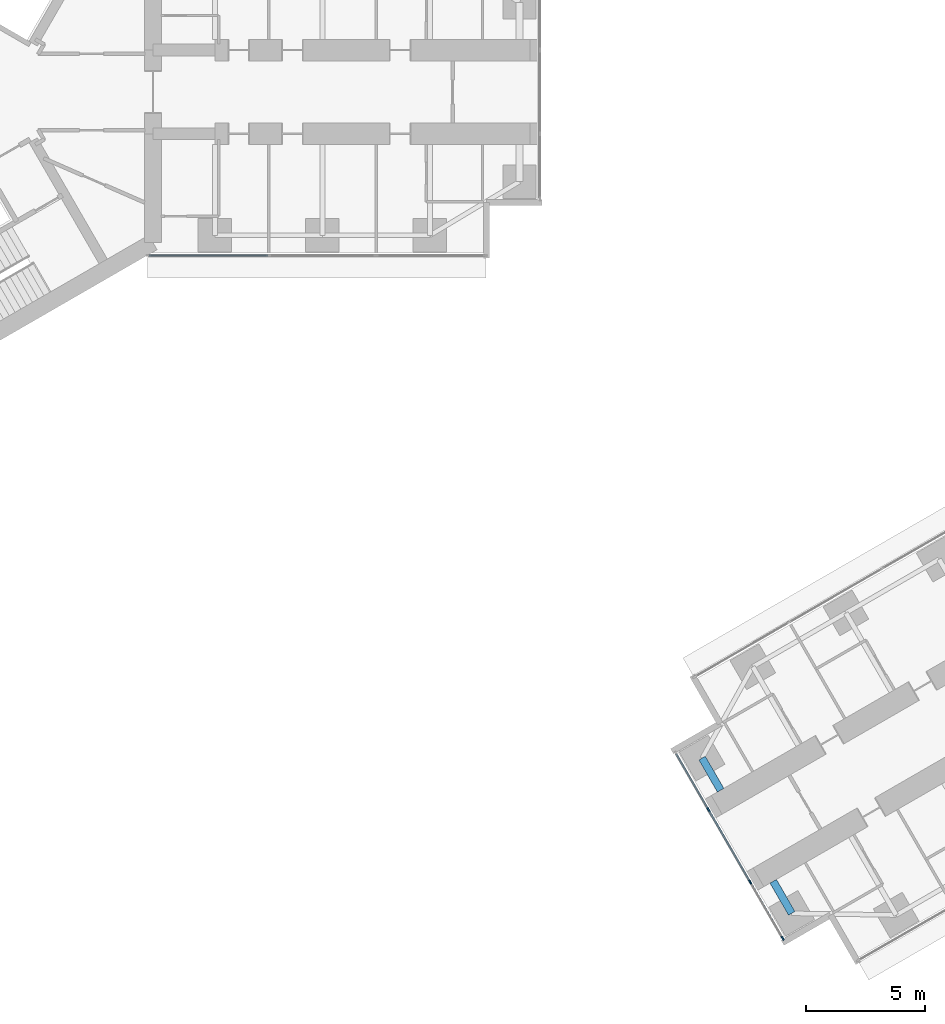
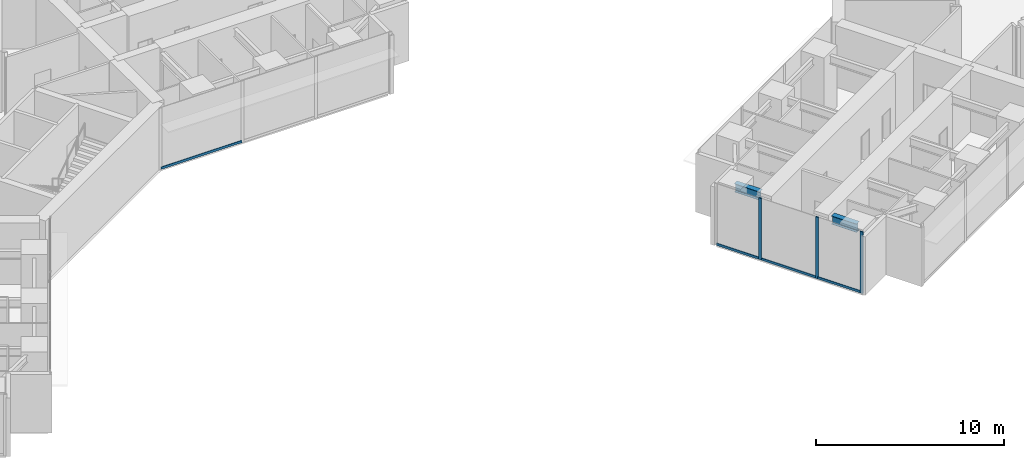
# One storey, part 3 of 25: 7 members, 2 beams, 2 elements without a shape of their own.
"""IFC4 building model written with IfcOpenShell, lengths in metres."""

from ifc_helpers import new_model, si_unit, direction, frame, origin, origin_2d, place, context, subcontext, project, spatial, rectangle, i_section, extrude, material, material_profile, profile_set, type_object, element, aggregate, save


model = new_model("IFC4")

# Units and contexts
model_context = context("Model", 3, precision=1e-05, world=origin(), true_north=direction((0.0, 1.0)))
body_context = subcontext(model_context, "Body", "Model", "MODEL_VIEW")
ifc_project = project(units=[si_unit("LENGTHUNIT", "METRE"), si_unit("AREAUNIT", "SQUARE_METRE"), si_unit("VOLUMEUNIT", "CUBIC_METRE"), si_unit("PLANEANGLEUNIT", "RADIAN"), si_unit("MASSUNIT", "GRAM", prefix="KILO")], contexts=[model_context])

# Site, building, storey
site_placement = place(None, origin())
site = spatial("IfcSite", under=ifc_project, at=site_placement, CompositionType="ELEMENT")
building_placement = place(site_placement, origin())
building = spatial("IfcBuilding", under=site, at=building_placement, Name="Upepo Twin Towers", CompositionType="ELEMENT")
storey_placement = place(building_placement, frame((0.0, 0.0, 76.5)))
storey = spatial("IfcBuildingStorey", under=building, at=storey_placement, Name="L18", CompositionType="ELEMENT", Elevation=76.5)

# Beams
ifc_material_1 = material(Name="Steel S355", Category="steel")
ifc_material_profile_1 = material_profile(ifc_material_1, i_section(OverallWidth=0.31201171875, OverallDepth=0.54345703125, WebThickness=0.0126953125, FlangeThickness=0.020263671875, FilletRadius=0.0126953125, at=origin_2d()), Name="UB 533x312x150")
ifc_profile_set_1 = profile_set([ifc_material_profile_1], Name="Steel S355")
beam_type = type_object("IfcBeamType", Name="Beam UB 533x312x150", PredefinedType="BEAM", material=ifc_profile_set_1)
for number, where, z_axis, x_axis, name in (
    (1, (37.641845703125, -34.37255859375, 3.5283203125), (-0.499967891604, 0.866043940782, 0.0), (-0.866043940782, -0.499967891604, 0.0), "T2 nose beam BL"),
    (2, (33.891845703125, -27.87744140625, 3.5283203125), (0.499967891604, -0.866043940782, 0.0), (0.866043940782, 0.499967891604, 0.0), "T2 nose beam BR"),
):
    element("IfcBeam", number, at=place(storey_placement, frame(where, z_axis=z_axis, x_axis=x_axis)), inside=storey, type_object=beam_type, Name=name, PredefinedType="BEAM", context=body_context, shape_type="SweptSolid", body=[
        extrude(i_section(OverallWidth=0.31201171875, OverallDepth=0.54345703125, WebThickness=0.0126953125, FlangeThickness=0.020263671875, FilletRadius=0.0126953125, at=origin_2d()), origin(), (0.0, 0.0, 1.0), 1.5498046875),
    ])

# Curtain wall, members
ifc_material_2 = material(Name="Aluminium and fritted glass", Category="aluminium")
curtain_wall_type = type_object("IfcCurtainWallType", Name="Tower curtain wall TW1, fritted glass", PredefinedType="NOTDEFINED", material=ifc_material_2)
curtain_wall_1_placement = place(storey_placement, origin())
curtain_wall_1 = element("IfcCurtainWall", 3, at=curtain_wall_1_placement, inside=storey, type_object=curtain_wall_type, Name="T2 L18 wing B nose curtain wall", PredefinedType="NOTDEFINED")
ifc_material_3 = material(Name="Aluminium mullion", Category="aluminium")
ifc_material_profile_2 = material_profile(ifc_material_3, rectangle(XDim=0.06494140625, YDim=0.179931640625, at=origin_2d()), Name="MULLION 65x180")
ifc_profile_set_2 = profile_set([ifc_material_profile_2], Name="Aluminium mullion")
member_type_1 = type_object("IfcMemberType", Name="Mullion 65x180 TW1", PredefinedType="MULLION", material=ifc_profile_set_2)
member_1_placement = place(storey_placement, frame((34.15576171875, -30.034423828125, 0.0), z_axis=(0.0, 0.0, 1.0), x_axis=(0.866025386174, 0.500000030502, 0.0)))
member_1 = element("IfcMember", 4, at=member_1_placement, type_object=member_type_1, Name="T2 L18 wing B nose curtain wall mullion 2", PredefinedType="MULLION", context=body_context, shape_type="SweptSolid", body=[
    extrude(rectangle(XDim=0.06494140625, YDim=0.179931640625, at=origin_2d()), origin(), (0.0, 0.0, 1.0), 4.0),
])
member_2_placement = place(storey_placement, frame((35.90576171875, -33.0654296875, 0.0), z_axis=(0.0, 0.0, 1.0), x_axis=(0.866025386174, 0.500000030502, 0.0)))
member_2 = element("IfcMember", 5, at=member_2_placement, type_object=member_type_1, Name="T2 L18 wing B nose curtain wall mullion 3", PredefinedType="MULLION", context=body_context, shape_type="SweptSolid", body=[
    extrude(rectangle(XDim=0.06494140625, YDim=0.179931640625, at=origin_2d()), origin(), (0.0, 0.0, 1.0), 4.0),
])
member_3_placement = place(storey_placement, frame((37.264404296875, -35.4189453125, 0.0), z_axis=(0.0, 0.0, 1.0), x_axis=(0.866025386174, 0.500000030502, 0.0)))
member_3 = element("IfcMember", 6, at=member_3_placement, type_object=member_type_1, Name="T2 L18 wing B nose curtain wall mullion 4", PredefinedType="MULLION", context=body_context, shape_type="SweptSolid", body=[
    extrude(rectangle(XDim=0.06494140625, YDim=0.179931640625, at=origin_2d()), origin(), (0.0, 0.0, 1.0), 4.0),
])

# Curtain wall, member
curtain_wall_2_placement = place(storey_placement, origin())
curtain_wall_2 = element("IfcCurtainWall", 7, at=curtain_wall_2_placement, inside=storey, type_object=curtain_wall_type, Name="T1 L18 wing A flank R curtain wall", PredefinedType="NOTDEFINED")
ifc_material_4 = material(Name="Aluminium transom", Category="aluminium")
ifc_material_profile_3 = material_profile(ifc_material_4, rectangle(XDim=0.06494140625, YDim=0.14990234375, at=origin_2d()), Name="TRANSOM 65x150")
ifc_profile_set_3 = profile_set([ifc_material_profile_3], Name="Aluminium transom")
member_type_2 = type_object("IfcMemberType", Name="Transom 65x150 TW1", PredefinedType="USERDEFINED", material=ifc_profile_set_3)
member_4_placement = place(storey_placement, frame((15.717529296875, -6.85009765625, 0.074951171875), z_axis=(-1.0, 0.0, 0.0), x_axis=(0.0, -1.0, 0.0)))
member_4 = element("IfcMember", 8, at=member_4_placement, type_object=member_type_2, Name="T1 L18 wing A flank R curtain wall transom 3", ObjectType="TRANSOM", PredefinedType="USERDEFINED", context=body_context, shape_type="SweptSolid", body=[
    extrude(rectangle(XDim=0.06494140625, YDim=0.14990234375, at=origin_2d()), origin(), (0.0, 0.0, 1.0), 4.96533203125),
])
aggregate(curtain_wall_2, [member_4])

# Member
member_5_placement = place(storey_placement, frame((32.813232421875, -27.709228515625, 0.074951171875), z_axis=(0.499980071345, -0.866036909293, 0.0), x_axis=(0.866036909293, 0.499980071345, 0.0)))
member_5 = element("IfcMember", 9, at=member_5_placement, type_object=member_type_2, Name="T2 L18 wing B nose curtain wall transom 1", ObjectType="TRANSOM", PredefinedType="USERDEFINED", context=body_context, shape_type="SweptSolid", body=[
    extrude(rectangle(XDim=0.06494140625, YDim=0.14990234375, at=origin_2d()), origin(), (0.0, 0.0, 1.0), 2.65234375),
])

member_6_placement = place(storey_placement, frame((34.171875, -30.0625, 0.074951171875), z_axis=(0.499999305434, -0.866025804792, 0.0), x_axis=(0.866025804792, 0.499999305434, 0.0)))
member_6 = element("IfcMember", 10, at=member_6_placement, type_object=member_type_2, Name="T2 L18 wing B nose curtain wall transom 2", ObjectType="TRANSOM", PredefinedType="USERDEFINED", context=body_context, shape_type="SweptSolid", body=[
    extrude(rectangle(XDim=0.06494140625, YDim=0.14990234375, at=origin_2d()), origin(), (0.0, 0.0, 1.0), 3.43505859375),
])

member_7_placement = place(storey_placement, frame((35.921875, -33.09375, 0.074951171875), z_axis=(0.500049101008, -0.865997053448, 0.0), x_axis=(0.865997053448, 0.500049101008, 0.0)))
member_7 = element("IfcMember", 11, at=member_7_placement, type_object=member_type_2, Name="T2 L18 wing B nose curtain wall transom 3", ObjectType="TRANSOM", PredefinedType="USERDEFINED", context=body_context, shape_type="SweptSolid", body=[
    extrude(rectangle(XDim=0.06494140625, YDim=0.14990234375, at=origin_2d()), origin(), (0.0, 0.0, 1.0), 2.652587890625),
])

aggregate(curtain_wall_1, [member_1, member_2, member_3, member_5, member_6, member_7])

save(model, "model.ifc")
